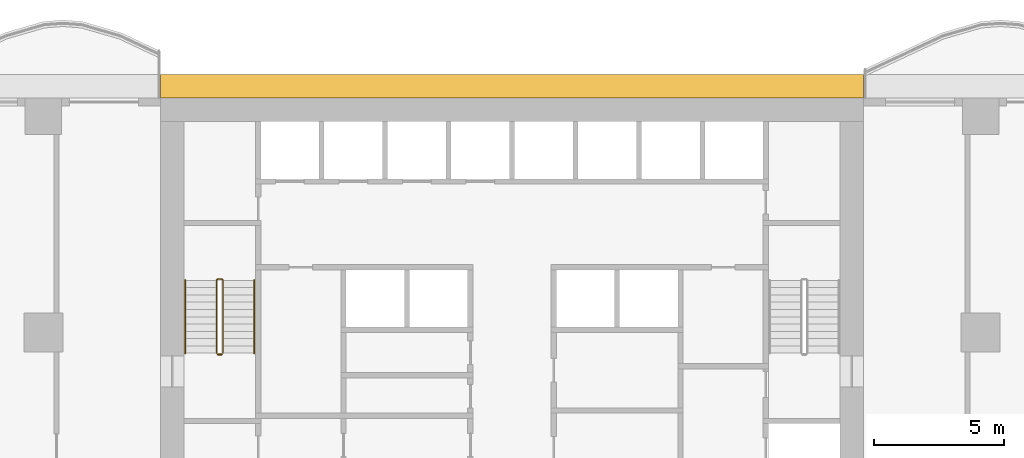
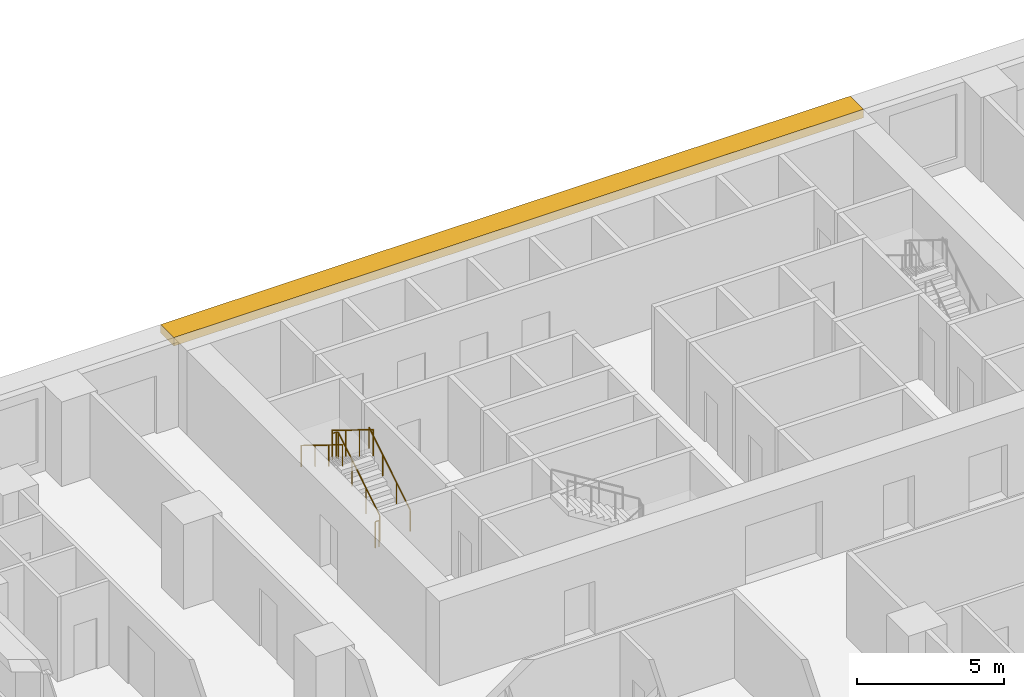
# One storey, part 12 of 14: 4 railings, 1 shading device.
"""IFC4 building model written with IfcOpenShell, lengths in metres."""

from ifc_helpers import new_model, si_unit, direction, frame, origin, origin_2d, place, context, subcontext, project, spatial, polyline, circle, outline, extrude, material, layer, layer_set, type_object, element, save


model = new_model("IFC4")

# Units and contexts
model_context = context("Model", 3, precision=1e-05, world=origin(), true_north=direction((0.0, 1.0)))
body_context = subcontext(model_context, "Body", "Model", "MODEL_VIEW")
ifc_project = project(units=[si_unit("LENGTHUNIT", "METRE"), si_unit("AREAUNIT", "SQUARE_METRE"), si_unit("VOLUMEUNIT", "CUBIC_METRE"), si_unit("PLANEANGLEUNIT", "RADIAN"), si_unit("MASSUNIT", "GRAM", prefix="KILO")], contexts=[model_context])

# Site, building, storey
site_placement = place(None, origin())
site = spatial("IfcSite", under=ifc_project, at=site_placement, CompositionType="ELEMENT")
building_placement = place(site_placement, origin())
building = spatial("IfcBuilding", under=site, at=building_placement, Name="Orbiselva Terraces", CompositionType="ELEMENT")
storey_placement = place(building_placement, frame((0.0, 0.0, 45.4)))
storey = spatial("IfcBuildingStorey", under=building, at=storey_placement, Name="L11", CompositionType="ELEMENT", Elevation=45.4)

# Railings
ifc_material_1 = material(Name="Stainless steel", Category="steel")
railing_type_1 = type_object("IfcRailingType", Name="CORE-GUARD-1100", PredefinedType="GUARDRAIL", material=ifc_material_1)
railing_1_placement = place(storey_placement, frame((-11.1, 12.7, 0.172727)))
element("IfcRailing", 1, at=railing_1_placement, inside=storey, type_object=railing_type_1, Name="L11 S1 stair guard 1", PredefinedType="GUARDRAIL", context=body_context, shape_type="SweptSolid", body=[
    extrude(circle(Radius=0.024, at=origin_2d()), frame((0.0, 0.0, 1.081), z_axis=(0.0, 0.851088519012, 0.52502222125), x_axis=(-1.0, 0.0, 0.0)), (0.0, 0.0, 1.0), 3.289905),
    extrude(circle(Radius=0.024, at=origin_2d()), frame((0.0, 2.8, 2.808273), z_axis=(-0.707106781187, 0.707106781187, 0.0), x_axis=(-0.707106781187, -0.707106781187, 0.0)), (0.0, 0.0, 1.0), 0.070711),
    extrude(circle(Radius=0.024, at=origin_2d()), frame((-0.05, 2.85, 2.808273), z_axis=(-1.0, 0.0, 0.0), x_axis=(0.0, -1.0, 0.0)), (0.0, 0.0, 1.0), 0.15),
    extrude(circle(Radius=0.024, at=origin_2d()), frame((-0.2, 2.85, 2.808273), z_axis=(-0.267894925557, -0.267894925557, 0.925453736133), x_axis=(0.707106781187, -0.707106781187, 0.0)), (0.0, 0.0, 1.0), 0.18664),
    extrude(circle(Radius=0.024, at=origin_2d()), frame((-0.25, 2.8, 2.981), z_axis=(0.0, -0.851088519012, 0.52502222125), x_axis=(1.0, 0.0, 0.0)), (0.0, 0.0, 1.0), 3.289905),
    extrude(circle(Radius=0.021, at=origin_2d()), origin(), (0.0, 0.0, 1.0), 1.057),
    extrude(circle(Radius=0.021, at=origin_2d()), frame((0.0, 0.933333, 0.575758)), (0.0, 0.0, 1.0), 1.057),
    extrude(circle(Radius=0.021, at=origin_2d()), frame((0.0, 1.866667, 1.151515)), (0.0, 0.0, 1.0), 1.057),
    extrude(circle(Radius=0.021, at=origin_2d()), frame((0.0, 2.8, 1.727273)), (0.0, 0.0, 1.0), 1.057),
    extrude(circle(Radius=0.021, at=origin_2d()), frame((-0.05, 2.85, 1.727273)), (0.0, 0.0, 1.0), 1.057),
    extrude(circle(Radius=0.021, at=origin_2d()), frame((-0.2, 2.85, 1.727273)), (0.0, 0.0, 1.0), 1.057),
    extrude(circle(Radius=0.021, at=origin_2d()), frame((-0.25, 2.8, 1.9)), (0.0, 0.0, 1.0), 1.057),
    extrude(circle(Radius=0.021, at=origin_2d()), frame((-0.25, 1.866667, 2.475758)), (0.0, 0.0, 1.0), 1.057),
    extrude(circle(Radius=0.021, at=origin_2d()), frame((-0.25, 0.933333, 3.051515)), (0.0, 0.0, 1.0), 1.057),
    extrude(circle(Radius=0.021, at=origin_2d()), frame((-0.25, 0.0, 3.627273)), (0.0, 0.0, 1.0), 1.057),
])
railing_2_placement = place(storey_placement, frame((-11.15, 12.65, 0.0)))
element("IfcRailing", 2, at=railing_2_placement, inside=storey, type_object=railing_type_1, Name="L11 S1 stair guard 2", PredefinedType="GUARDRAIL", context=body_context, shape_type="SweptSolid", body=[
    extrude(circle(Radius=0.024, at=origin_2d()), frame((0.0, 0.0, 1.081), z_axis=(-1.0, 0.0, 0.0), x_axis=(0.0, -1.0, 0.0)), (0.0, 0.0, 1.0), 0.15),
    extrude(circle(Radius=0.021, at=origin_2d()), origin(), (0.0, 0.0, 1.0), 1.057),
    extrude(circle(Radius=0.021, at=origin_2d()), frame((-0.15, 0.0, 0.0)), (0.0, 0.0, 1.0), 1.057),
])
railing_type_2 = type_object("IfcRailingType", Name="CORE-HANDRAIL-900", PredefinedType="HANDRAIL", material=ifc_material_1)
railing_3_placement = place(storey_placement, frame((-9.9, 12.7, 0.172727)))
element("IfcRailing", 3, at=railing_3_placement, inside=storey, type_object=railing_type_2, Name="L11 S1 stair handrail 1", PredefinedType="HANDRAIL", context=body_context, shape_type="SweptSolid", body=[
    extrude(circle(Radius=0.024, at=origin_2d()), frame((0.0, 0.0, 0.876), z_axis=(0.0, 0.851088519012, 0.52502222125), x_axis=(-1.0, 0.0, 0.0)), (0.0, 0.0, 1.0), 3.289905),
    extrude(circle(Radius=0.021, at=origin_2d()), origin(), (0.0, 0.0, 1.0), 0.852),
    extrude(circle(Radius=0.021, at=origin_2d()), frame((0.0, 0.933333, 0.575758)), (0.0, 0.0, 1.0), 0.852),
    extrude(circle(Radius=0.021, at=origin_2d()), frame((0.0, 1.866667, 1.151515)), (0.0, 0.0, 1.0), 0.852),
    extrude(circle(Radius=0.021, at=origin_2d()), frame((0.0, 2.8, 1.727273)), (0.0, 0.0, 1.0), 0.852),
])
railing_4_placement = place(storey_placement, frame((-12.55, 15.5, 2.072727)))
element("IfcRailing", 4, at=railing_4_placement, inside=storey, type_object=railing_type_2, Name="L11 S1 stair handrail 2", PredefinedType="HANDRAIL", context=body_context, shape_type="SweptSolid", body=[
    extrude(circle(Radius=0.024, at=origin_2d()), frame((0.0, 0.0, 0.876), z_axis=(0.0, -0.851088519012, 0.52502222125), x_axis=(1.0, 0.0, 0.0)), (0.0, 0.0, 1.0), 3.289905),
    extrude(circle(Radius=0.021, at=origin_2d()), origin(), (0.0, 0.0, 1.0), 0.852),
    extrude(circle(Radius=0.021, at=origin_2d()), frame((0.0, -0.933333, 0.575758)), (0.0, 0.0, 1.0), 0.852),
    extrude(circle(Radius=0.021, at=origin_2d()), frame((0.0, -1.866667, 1.151515)), (0.0, 0.0, 1.0), 0.852),
    extrude(circle(Radius=0.021, at=origin_2d()), frame((0.0, -2.8, 1.727273)), (0.0, 0.0, 1.0), 0.852),
])

# Shading device
ifc_material_2 = material(Name="Terracotta baguette sunshade", Category="masonry")
ifc_layer = layer(ifc_material_2, 0.35)
ifc_layer_set = layer_set([ifc_layer], Name="Terracotta baguette sunshade")
shading_device_type = type_object("IfcShadingDeviceType", Name="ENV-SUNSHADE-900x350", PredefinedType="USERDEFINED", material=ifc_layer_set)
shading_device_placement = place(storey_placement, frame((0.0, 0.0, 3.15)))
element("IfcShadingDevice", 5, at=shading_device_placement, inside=storey, type_object=shading_device_type, Name="Sunshade band L11 CORE NORTH", ObjectType="SUNSHADE", PredefinedType="USERDEFINED", context=body_context, shape_type="SweptSolid", body=[
    extrude(outline(polyline([(13.5, 23.4), (-13.5, 23.4), (-13.5, 22.5), (13.5, 22.5), (13.5, 23.4)])), origin(), (0.0, 0.0, 1.0), 0.35),
])

save(model, "model.ifc")
